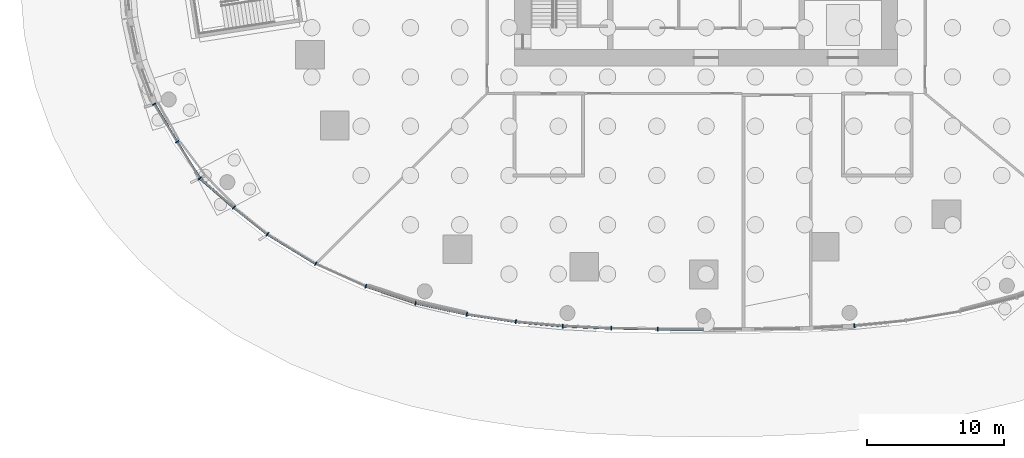
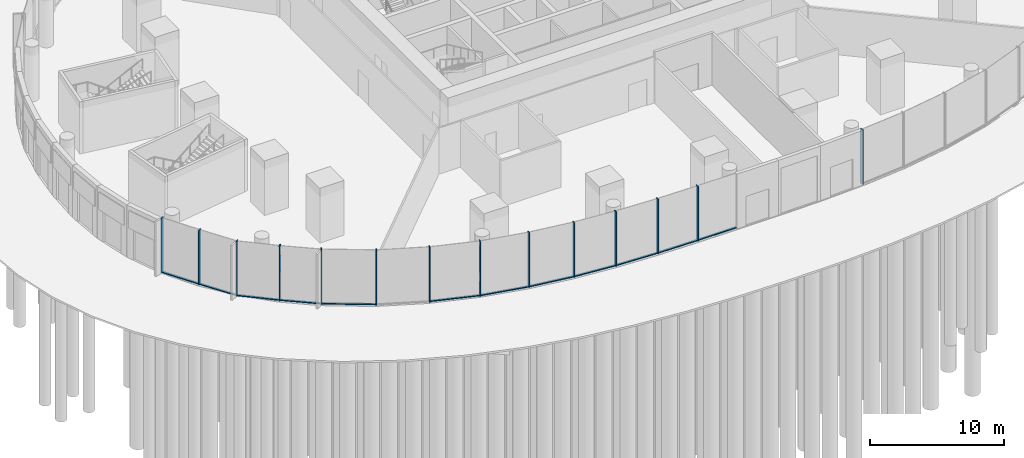
# One storey, part 3 of 29: 26 members, 5 elements without a shape of their own.
"""IFC4 building model written with IfcOpenShell, lengths in metres."""

from ifc_helpers import new_model, si_unit, direction, frame, origin, origin_2d, place, context, subcontext, project, spatial, rectangle, extrude, material, material_profile, profile_set, type_object, element, aggregate, save


model = new_model("IFC4")

# Units and contexts
model_context = context("Model", 3, precision=1e-05, world=origin(), true_north=direction((0.0, 1.0)))
body_context = subcontext(model_context, "Body", "Model", "MODEL_VIEW")
ifc_project = project(units=[si_unit("LENGTHUNIT", "METRE"), si_unit("AREAUNIT", "SQUARE_METRE"), si_unit("VOLUMEUNIT", "CUBIC_METRE"), si_unit("PLANEANGLEUNIT", "RADIAN"), si_unit("MASSUNIT", "GRAM", prefix="KILO")], contexts=[model_context])

# Site, building, storey
site_placement = place(None, origin())
site = spatial("IfcSite", under=ifc_project, at=site_placement, CompositionType="ELEMENT")
building_placement = place(site_placement, origin())
building = spatial("IfcBuilding", under=site, at=building_placement, Name="Ghaith Harvest Tower", CompositionType="ELEMENT")
storey_placement = place(building_placement, origin())
storey = spatial("IfcBuildingStorey", under=building, at=storey_placement, Name="L00", CompositionType="ELEMENT", Elevation=0.0)

# Curtain wall, members
ifc_material_1 = material(Name="Black anodised aluminium and fritted glass", Category="aluminium")
curtain_wall_type = type_object("IfcCurtainWallType", Name="CW-P CURTAIN WALL", PredefinedType="NOTDEFINED", material=ifc_material_1)
curtain_wall_1_placement = place(storey_placement, origin())
curtain_wall_1 = element("IfcCurtainWall", 1, at=curtain_wall_1_placement, inside=storey, type_object=curtain_wall_type, Name="Curtain wall CW-P bay 12 L00", PredefinedType="NOTDEFINED")
ifc_material_2 = material(Name="Aluminium, black anodised", Category="aluminium")
ifc_material_profile_1 = material_profile(ifc_material_2, rectangle(XDim=0.080078125, YDim=0.300048828125, at=origin_2d()), Name="CW-P MULLION 80x300")
ifc_profile_set_1 = profile_set([ifc_material_profile_1], Name="Aluminium, black anodised")
member_type_1 = type_object("IfcMemberType", Name="CW-P MULLION 80x300", PredefinedType="MULLION", material=ifc_profile_set_1)
member_1_placement = place(storey_placement, frame((-40.3115234375, -12.775390625, 0.0), z_axis=(0.0, 0.0, 1.0), x_axis=(0.516091070948, -0.856533715908, 0.0)))
member_1 = element("IfcMember", 2, at=member_1_placement, type_object=member_type_1, Name="CW-P mullion 1 bay 12 L00", PredefinedType="MULLION", context=body_context, shape_type="SweptSolid", body=[
    extrude(rectangle(XDim=0.080078125, YDim=0.300048828125, at=origin_2d()), origin(), (0.0, 0.0, 1.0), 5.0),
])
member_2_placement = place(storey_placement, frame((-38.6494140625, -15.53369140625, 0.0), z_axis=(0.0, 0.0, 1.0), x_axis=(0.522983895334, -0.852342563305, 0.0)))
member_2 = element("IfcMember", 3, at=member_2_placement, type_object=member_type_1, Name="CW-P mullion 2 bay 12 L00", PredefinedType="MULLION", context=body_context, shape_type="SweptSolid", body=[
    extrude(rectangle(XDim=0.080078125, YDim=0.300048828125, at=origin_2d()), origin(), (0.0, 0.0, 1.0), 5.0),
])
member_3_placement = place(storey_placement, frame((-36.981201171875, -18.202880859375, 0.0), z_axis=(0.0, 0.0, 1.0), x_axis=(0.653047165379, -0.75731723854, 0.0)))
member_3 = element("IfcMember", 4, at=member_3_placement, type_object=member_type_1, Name="CW-P mullion 3 bay 12 L00", PredefinedType="MULLION", context=body_context, shape_type="SweptSolid", body=[
    extrude(rectangle(XDim=0.080078125, YDim=0.300048828125, at=origin_2d()), origin(), (0.0, 0.0, 1.0), 5.0),
])
member_4_placement = place(storey_placement, frame((-34.5048828125, -20.34033203125, 0.0), z_axis=(0.0, 0.0, 1.0), x_axis=(0.769372987799, -0.638799816566, 0.0)))
member_4 = element("IfcMember", 5, at=member_4_placement, type_object=member_type_1, Name="CW-P mullion 4 bay 12 L00", PredefinedType="MULLION", context=body_context, shape_type="SweptSolid", body=[
    extrude(rectangle(XDim=0.080078125, YDim=0.300048828125, at=origin_2d()), origin(), (0.0, 0.0, 1.0), 5.0),
])

curtain_wall_2_placement = place(storey_placement, origin())
curtain_wall_2 = element("IfcCurtainWall", 6, at=curtain_wall_2_placement, inside=storey, type_object=curtain_wall_type, Name="Curtain wall CW-P bay 13 L00", PredefinedType="NOTDEFINED")
member_5_placement = place(storey_placement, frame((-32.0478515625, -22.299072265625, 0.0), z_axis=(0.0, 0.0, 1.0), x_axis=(0.824303659117, -0.566147929049, 0.0)))
member_5 = element("IfcMember", 7, at=member_5_placement, type_object=member_type_1, Name="CW-P mullion 1 bay 13 L00", PredefinedType="MULLION", context=body_context, shape_type="SweptSolid", body=[
    extrude(rectangle(XDim=0.080078125, YDim=0.300048828125, at=origin_2d()), origin(), (0.0, 0.0, 1.0), 5.0),
])
member_6_placement = place(storey_placement, frame((-28.51904296875, -24.451416015625, 0.0), z_axis=(0.0, 0.0, 1.0), x_axis=(0.884189562915, -0.467128265932, 0.0)))
member_6 = element("IfcMember", 8, at=member_6_placement, type_object=member_type_1, Name="CW-P mullion 2 bay 13 L00", PredefinedType="MULLION", context=body_context, shape_type="SweptSolid", body=[
    extrude(rectangle(XDim=0.080078125, YDim=0.300048828125, at=origin_2d()), origin(), (0.0, 0.0, 1.0), 5.0),
])
member_7_placement = place(storey_placement, frame((-24.861572265625, -26.095703125, 0.0), z_axis=(0.0, 0.0, 1.0), x_axis=(0.93087582333, -0.36533573811, 0.0)))
member_7 = element("IfcMember", 9, at=member_7_placement, type_object=member_type_1, Name="CW-P mullion 3 bay 13 L00", PredefinedType="MULLION", context=body_context, shape_type="SweptSolid", body=[
    extrude(rectangle(XDim=0.080078125, YDim=0.300048828125, at=origin_2d()), origin(), (0.0, 0.0, 1.0), 5.0),
])

curtain_wall_3_placement = place(storey_placement, origin())
curtain_wall_3 = element("IfcCurtainWall", 10, at=curtain_wall_3_placement, inside=storey, type_object=curtain_wall_type, Name="Curtain wall CW-P bay 14 L00", PredefinedType="NOTDEFINED")
member_8_placement = place(storey_placement, frame((-21.2158203125, -27.317626953125, 0.0), z_axis=(0.0, 0.0, 1.0), x_axis=(0.963515543875, -0.267652380358, 0.0)))
member_8 = element("IfcMember", 11, at=member_8_placement, type_object=member_type_1, Name="CW-P mullion 1 bay 14 L00", PredefinedType="MULLION", context=body_context, shape_type="SweptSolid", body=[
    extrude(rectangle(XDim=0.080078125, YDim=0.300048828125, at=origin_2d()), origin(), (0.0, 0.0, 1.0), 5.0),
])
member_9_placement = place(storey_placement, frame((-17.480224609375, -28.146240234375, 0.0), z_axis=(0.0, 0.0, 1.0), x_axis=(0.982925966769, -0.18400147785, 0.0)))
member_9 = element("IfcMember", 12, at=member_9_placement, type_object=member_type_1, Name="CW-P mullion 2 bay 14 L00", PredefinedType="MULLION", context=body_context, shape_type="SweptSolid", body=[
    extrude(rectangle(XDim=0.080078125, YDim=0.300048828125, at=origin_2d()), origin(), (0.0, 0.0, 1.0), 5.0),
])
member_10_placement = place(storey_placement, frame((-13.899169921875, -28.687255859375, 0.0), z_axis=(0.0, 0.0, 1.0), x_axis=(0.992661873774, -0.120923134079, 0.0)))
member_10 = element("IfcMember", 13, at=member_10_placement, type_object=member_type_1, Name="CW-P mullion 3 bay 14 L00", PredefinedType="MULLION", context=body_context, shape_type="SweptSolid", body=[
    extrude(rectangle(XDim=0.080078125, YDim=0.300048828125, at=origin_2d()), origin(), (0.0, 0.0, 1.0), 5.0),
])

curtain_wall_4_placement = place(storey_placement, origin())
curtain_wall_4 = element("IfcCurtainWall", 14, at=curtain_wall_4_placement, inside=storey, type_object=curtain_wall_type, Name="Curtain wall CW-P bay 15 L00", PredefinedType="NOTDEFINED")
member_11_placement = place(storey_placement, frame((-10.47412109375, -28.99951171875, 0.0), z_axis=(0.0, 0.0, 1.0), x_axis=(0.997678039271, -0.06810675412, 0.0)))
member_11 = element("IfcMember", 15, at=member_11_placement, type_object=member_type_1, Name="CW-P mullion 1 bay 15 L00", PredefinedType="MULLION", context=body_context, shape_type="SweptSolid", body=[
    extrude(rectangle(XDim=0.080078125, YDim=0.300048828125, at=origin_2d()), origin(), (0.0, 0.0, 1.0), 5.0),
])
member_12_placement = place(storey_placement, frame((-6.931396484375, -29.1630859375, 0.0), z_axis=(0.0, 0.0, 1.0), x_axis=(0.999511883012, -0.031240930161, 0.0)))
member_12 = element("IfcMember", 16, at=member_12_placement, type_object=member_type_1, Name="CW-P mullion 2 bay 15 L00", PredefinedType="MULLION", context=body_context, shape_type="SweptSolid", body=[
    extrude(rectangle(XDim=0.080078125, YDim=0.300048828125, at=origin_2d()), origin(), (0.0, 0.0, 1.0), 5.0),
])
member_13_placement = place(storey_placement, frame((-3.52587890625, -29.216796875, 0.0), z_axis=(0.0, 0.0, 1.0), x_axis=(0.999964009515, -0.008484083564, 0.0)))
member_13 = element("IfcMember", 17, at=member_13_placement, type_object=member_type_1, Name="CW-P mullion 3 bay 15 L00", PredefinedType="MULLION", context=body_context, shape_type="SweptSolid", body=[
    extrude(rectangle(XDim=0.080078125, YDim=0.300048828125, at=origin_2d()), origin(), (0.0, 0.0, 1.0), 5.0),
])

# Curtain wall, member
curtain_wall_5_placement = place(storey_placement, origin())
curtain_wall_5 = element("IfcCurtainWall", 18, at=curtain_wall_5_placement, inside=storey, type_object=curtain_wall_type, Name="Curtain wall CW-P bay 17 L00", PredefinedType="NOTDEFINED")
member_14_placement = place(storey_placement, frame((10.831787109375, -28.974853515625, 0.0), z_axis=(0.0, 0.0, 1.0), x_axis=(0.995092549283, 0.098948564221, 0.0)))
member_14 = element("IfcMember", 19, at=member_14_placement, type_object=member_type_1, Name="CW-P mullion 1 bay 17 L00", PredefinedType="MULLION", context=body_context, shape_type="SweptSolid", body=[
    extrude(rectangle(XDim=0.080078125, YDim=0.300048828125, at=origin_2d()), origin(), (0.0, 0.0, 1.0), 5.0),
])
aggregate(curtain_wall_5, [member_14])

# Member
ifc_material_3 = material(Name="Aluminium, black anodised", Category="aluminium")
ifc_material_profile_2 = material_profile(ifc_material_3, rectangle(XDim=0.179931640625, YDim=0.080078125, at=origin_2d()), Name="CW-P TRANSOM 180x80")
ifc_profile_set_2 = profile_set([ifc_material_profile_2], Name="Aluminium, black anodised")
member_type_2 = type_object("IfcMemberType", Name="CW-P TRANSOM 180x80", PredefinedType="USERDEFINED", material=ifc_profile_set_2)
member_15_placement = place(storey_placement, frame((-40.290771484375, -12.809814453125, 0.0400390625), z_axis=(0.516084110483, -0.85653790979, 0.0), x_axis=(0.85653790979, 0.516084110483, 0.0)))
member_15 = element("IfcMember", 20, at=member_15_placement, type_object=member_type_2, Name="CW-P transom 1 bay 12 L00", ObjectType="TRANSOM", PredefinedType="USERDEFINED", context=body_context, shape_type="SweptSolid", body=[
    extrude(rectangle(XDim=0.179931640625, YDim=0.080078125, at=origin_2d()), origin(), (0.0, 0.0, 1.0), 3.14013671875),
])

member_16_placement = place(storey_placement, frame((-38.628173828125, -15.567626953125, 0.0400390625), z_axis=(0.529977477861, -0.848011717466, 0.0), x_axis=(0.848011717466, 0.529977477861, 0.0)))
member_16 = element("IfcMember", 21, at=member_16_placement, type_object=member_type_2, Name="CW-P transom 2 bay 12 L00", ObjectType="TRANSOM", PredefinedType="USERDEFINED", context=body_context, shape_type="SweptSolid", body=[
    extrude(rectangle(XDim=0.179931640625, YDim=0.080078125, at=origin_2d()), origin(), (0.0, 0.0, 1.0), 3.067626953125),
])

member_17_placement = place(storey_placement, frame((-36.950927734375, -18.22900390625, 0.0400390625), z_axis=(0.757000159796, -0.653414690735, 0.0), x_axis=(0.653414690735, 0.757000159796, 0.0)))
member_17 = element("IfcMember", 22, at=member_17_placement, type_object=member_type_2, Name="CW-P transom 3 bay 12 L00", ObjectType="TRANSOM", PredefinedType="USERDEFINED", context=body_context, shape_type="SweptSolid", body=[
    extrude(rectangle(XDim=0.179931640625, YDim=0.080078125, at=origin_2d()), origin(), (0.0, 0.0, 1.0), 3.191162109375),
])

member_18_placement = place(storey_placement, frame((-34.473388671875, -20.365234375, 0.0400390625), z_axis=(0.781902271011, -0.623401025495, 0.0), x_axis=(0.623401025495, 0.781902271011, 0.0)))
member_18 = element("IfcMember", 23, at=member_18_placement, type_object=member_type_2, Name="CW-P transom 4 bay 12 L00", ObjectType="TRANSOM", PredefinedType="USERDEFINED", context=body_context, shape_type="SweptSolid", body=[
    extrude(rectangle(XDim=0.179931640625, YDim=0.080078125, at=origin_2d()), origin(), (0.0, 0.0, 1.0), 3.06201171875),
])

aggregate(curtain_wall_1, [member_1, member_15, member_2, member_16, member_3, member_17, member_4, member_18])

member_19_placement = place(storey_placement, frame((-32.013671875, -22.31982421875, 0.0400390625), z_axis=(0.85370735862, -0.520753056485, 0.0), x_axis=(0.520753056485, 0.85370735862, 0.0)))
member_19 = element("IfcMember", 24, at=member_19_placement, type_object=member_type_2, Name="CW-P transom 1 bay 13 L00", ObjectType="TRANSOM", PredefinedType="USERDEFINED", context=body_context, shape_type="SweptSolid", body=[
    extrude(rectangle(XDim=0.179931640625, YDim=0.080078125, at=origin_2d()), origin(), (0.0, 0.0, 1.0), 4.053466796875),
])

member_20_placement = place(storey_placement, frame((-24.82373046875, -26.1083984375, 0.0400390625), z_axis=(0.948163297351, -0.317783513665, 0.0), x_axis=(0.317783513665, 0.948163297351, 0.0)))
member_20 = element("IfcMember", 25, at=member_20_placement, type_object=member_type_2, Name="CW-P transom 3 bay 13 L00", ObjectType="TRANSOM", PredefinedType="USERDEFINED", context=body_context, shape_type="SweptSolid", body=[
    extrude(rectangle(XDim=0.179931640625, YDim=0.080078125, at=origin_2d()), origin(), (0.0, 0.0, 1.0), 3.76513671875),
])

aggregate(curtain_wall_2, [member_5, member_19, member_6, member_7, member_20])

member_21_placement = place(storey_placement, frame((-21.1767578125, -27.326416015625, 0.0400390625), z_axis=(0.976285095967, -0.216488825099, 0.0), x_axis=(0.216488825099, 0.976285095967, 0.0)))
member_21 = element("IfcMember", 26, at=member_21_placement, type_object=member_type_2, Name="CW-P transom 1 bay 14 L00", ObjectType="TRANSOM", PredefinedType="USERDEFINED", context=body_context, shape_type="SweptSolid", body=[
    extrude(rectangle(XDim=0.179931640625, YDim=0.080078125, at=origin_2d()), origin(), (0.0, 0.0, 1.0), 3.746337890625),
])

member_22_placement = place(storey_placement, frame((-17.440673828125, -28.152099609375, 0.0400390625), z_axis=(0.988769891986, -0.149445979213, 0.0), x_axis=(0.149445979213, 0.988769891986, 0.0)))
member_22 = element("IfcMember", 27, at=member_22_placement, type_object=member_type_2, Name="CW-P transom 2 bay 14 L00", ObjectType="TRANSOM", PredefinedType="USERDEFINED", context=body_context, shape_type="SweptSolid", body=[
    extrude(rectangle(XDim=0.179931640625, YDim=0.080078125, at=origin_2d()), origin(), (0.0, 0.0, 1.0), 3.541748046875),
])

member_23_placement = place(storey_placement, frame((-13.859375, -28.69091796875, 0.0400390625), z_axis=(0.995865161112, -0.090843716806, 0.0), x_axis=(0.090843716806, 0.995865161112, 0.0)))
member_23 = element("IfcMember", 28, at=member_23_placement, type_object=member_type_2, Name="CW-P transom 3 bay 14 L00", ObjectType="TRANSOM", PredefinedType="USERDEFINED", context=body_context, shape_type="SweptSolid", body=[
    extrude(rectangle(XDim=0.179931640625, YDim=0.080078125, at=origin_2d()), origin(), (0.0, 0.0, 1.0), 3.359375),
])

aggregate(curtain_wall_3, [member_8, member_21, member_9, member_22, member_10, member_23])

member_24_placement = place(storey_placement, frame((-10.43408203125, -29.00146484375, 0.0400390625), z_axis=(0.998938704665, -0.046059356518, 0.0), x_axis=(0.046059356518, 0.998938704665, 0.0)))
member_24 = element("IfcMember", 29, at=member_24_placement, type_object=member_type_2, Name="CW-P transom 1 bay 15 L00", ObjectType="TRANSOM", PredefinedType="USERDEFINED", context=body_context, shape_type="SweptSolid", body=[
    extrude(rectangle(XDim=0.179931640625, YDim=0.080078125, at=origin_2d()), origin(), (0.0, 0.0, 1.0), 3.466552734375),
])

member_25_placement = place(storey_placement, frame((-6.891357421875, -29.16357421875, 0.0400390625), z_axis=(0.999875467118, -0.015781326195, 0.0), x_axis=(0.015781326195, 0.999875467118, 0.0)))
member_25 = element("IfcMember", 30, at=member_25_placement, type_object=member_type_2, Name="CW-P transom 2 bay 15 L00", ObjectType="TRANSOM", PredefinedType="USERDEFINED", context=body_context, shape_type="SweptSolid", body=[
    extrude(rectangle(XDim=0.179931640625, YDim=0.080078125, at=origin_2d()), origin(), (0.0, 0.0, 1.0), 3.326171875),
])

member_26_placement = place(storey_placement, frame((-3.48583984375, -29.216796875, 0.0400390625), z_axis=(0.999999533453, -0.000965967747, 0.0), x_axis=(0.000965967747, 0.999999533453, 0.0)))
member_26 = element("IfcMember", 31, at=member_26_placement, type_object=member_type_2, Name="CW-P transom 3 bay 15 L00", ObjectType="TRANSOM", PredefinedType="USERDEFINED", context=body_context, shape_type="SweptSolid", body=[
    extrude(rectangle(XDim=0.179931640625, YDim=0.080078125, at=origin_2d()), origin(), (0.0, 0.0, 1.0), 3.28564453125),
])

aggregate(curtain_wall_4, [member_11, member_24, member_12, member_25, member_13, member_26])

save(model, "model.ifc")
